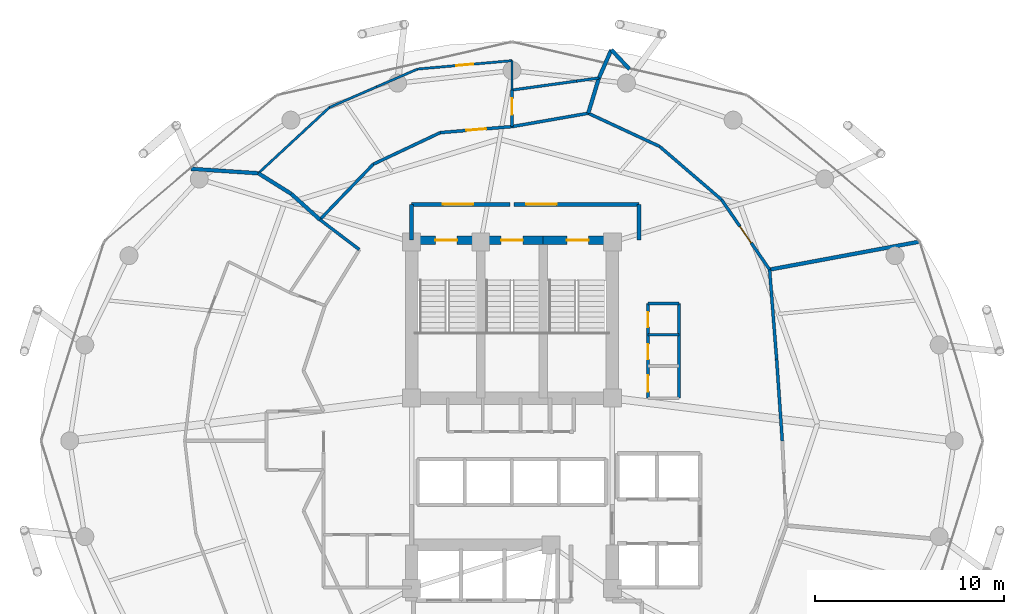
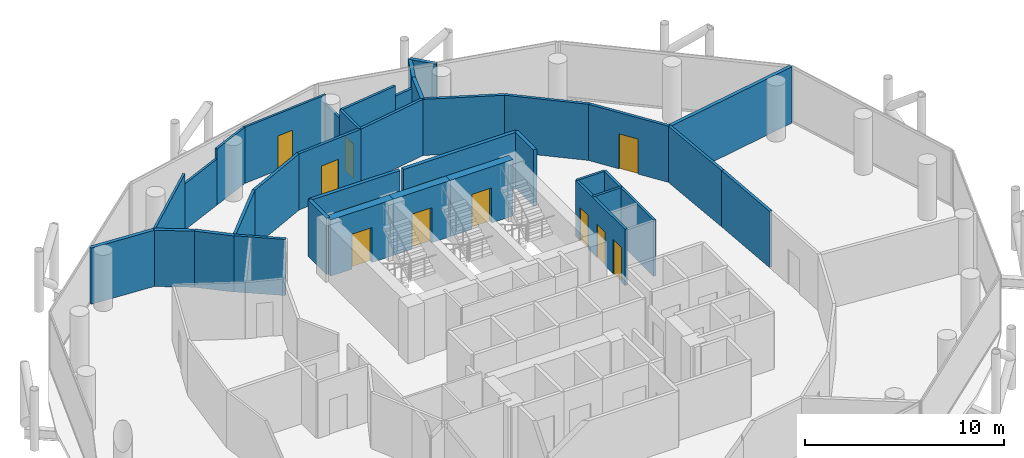
# One storey, part 24 of 26: 36 walls, 12 doors, 12 openings.
"""IFC4 building model written with IfcOpenShell, lengths in metres."""

from ifc_helpers import new_model, si_unit, direction, frame, frame_2d, origin, place, context, subcontext, project, spatial, rectangle, extrude, material, layer, layer_set, type_object, element, fill, save


model = new_model("IFC4")

# Units and contexts
model_context = context("Model", 3, precision=1e-05, world=origin(), true_north=direction((0.0, 1.0)))
body_context = subcontext(model_context, "Body", "Model", "MODEL_VIEW")
ifc_project = project(units=[si_unit("LENGTHUNIT", "METRE"), si_unit("AREAUNIT", "SQUARE_METRE"), si_unit("VOLUMEUNIT", "CUBIC_METRE"), si_unit("PLANEANGLEUNIT", "RADIAN"), si_unit("MASSUNIT", "GRAM", prefix="KILO")], contexts=[model_context])

# Site, building, storey
site_placement = place(None, origin())
site = spatial("IfcSite", under=ifc_project, at=site_placement, CompositionType="ELEMENT")
building_placement = place(site_placement, origin())
building = spatial("IfcBuilding", under=site, at=building_placement, Name="Nuhasar Tower", CompositionType="ELEMENT")
storey_placement = place(building_placement, frame((0.0, 0.0, 166.35009765625)))
storey = spatial("IfcBuildingStorey", under=building, at=storey_placement, Name="L40", CompositionType="ELEMENT", Elevation=166.35009765625)

# Wall, opening, door
ifc_material_1 = material(Name="Concrete C50/60", Category="concrete")
ifc_layer_1 = layer(ifc_material_1, 0.449951171875)
ifc_layer_set_1 = layer_set([ifc_layer_1], Name="Concrete C50/60")
wall_type_1 = type_object("IfcWallType", Name="WL-CORE-450", PredefinedType="SHEAR", material=ifc_layer_set_1)
wall_1_placement = place(storey_placement, frame((37.35009765625, 37.39990234375, 0.0), z_axis=(0.0, 0.0, 1.0), x_axis=(-1.0, 0.0, 0.0)))
wall_1 = element("IfcWall", 1, at=wall_1_placement, inside=storey, type_object=wall_type_1, Name="L40 Stairwell Shear Wall ST01-N", PredefinedType="SHEAR", context=body_context, shape_type="SweptSolid", body=[
    extrude(rectangle(XDim=3.650146484375, YDim=0.449951171875, at=frame_2d((1.8251953125, 0.0))), origin(), (0.0, 0.0, 1.0), 3.449951171875),
])
opening_1_placement = place(wall_1_placement, frame((1.25, 0.0, 0.0)))
opening_1 = element("IfcOpeningElement", 2, at=opening_1_placement, cuts=wall_1, Name="Opening DS-01", PredefinedType="OPENING", context=body_context, shape_type="SweptSolid", body=[
    extrude(rectangle(XDim=1.14990234375, YDim=2.14990234375, at=frame_2d((0.574951171875, 1.074951171875))), frame((0.0, 0.23486328125, 0.0), z_axis=(0.0, -1.0, 0.0), x_axis=(1.0, 0.0, 0.0)), (0.0, 0.0, 1.0), 0.469970703125),
])
ifc_material_2 = material(Name="Steel S355", Category="steel")
door_type_1 = type_object("IfcDoorType", Name="DR-STAIR-FD120-1150", OperationType="NOTDEFINED", PredefinedType="DOOR", material=ifc_material_2)
door_1_placement = place(opening_1_placement, origin())
door_1 = element("IfcDoor", 3, at=door_1_placement, inside=storey, type_object=door_type_1, Name="L40 Exit Stair ST-01 Door", OperationType="SINGLE_SWING_RIGHT", OverallHeight=2.14990234375, OverallWidth=1.14990234375, PredefinedType="DOOR", context=body_context, shape_type="SweptSolid", body=[
    extrude(rectangle(XDim=1.14990234375, YDim=2.14990234375, at=frame_2d((0.574951171875, 1.074951171875))), frame((0.0, 0.02490234375, 0.0), z_axis=(0.0, -1.0, 0.0), x_axis=(1.0, 0.0, 0.0)), (0.0, 0.0, 1.0), 0.050048828125),
])
fill(opening_1, door_1)

wall_2_placement = place(storey_placement, frame((40.64990234375, 37.39990234375, 0.0), z_axis=(0.0, 0.0, 1.0), x_axis=(-1.0, 0.0, 0.0)))
wall_2 = element("IfcWall", 4, at=wall_2_placement, inside=storey, type_object=wall_type_1, Name="L40 Stairwell Shear Wall ST03-N", PredefinedType="SHEAR", context=body_context, shape_type="SweptSolid", body=[
    extrude(rectangle(XDim=3.2998046875, YDim=0.449951171875, at=frame_2d((1.64990234375, 0.0))), origin(), (0.0, 0.0, 1.0), 3.449951171875),
])
opening_2_placement = place(wall_2_placement, frame((1.074951171875, 0.0, 0.0)))
opening_2 = element("IfcOpeningElement", 5, at=opening_2_placement, cuts=wall_2, Name="Opening DS-01", PredefinedType="OPENING", context=body_context, shape_type="SweptSolid", body=[
    extrude(rectangle(XDim=1.14990234375, YDim=2.14990234375, at=frame_2d((0.574951171875, 1.074951171875))), frame((0.0, 0.23486328125, 0.0), z_axis=(0.0, -1.0, 0.0), x_axis=(1.0, 0.0, 0.0)), (0.0, 0.0, 1.0), 0.469970703125),
])
door_2_placement = place(opening_2_placement, origin())
door_2 = element("IfcDoor", 6, at=door_2_placement, inside=storey, type_object=door_type_1, Name="L40 Exit Stair ST-03 Door", OperationType="SINGLE_SWING_RIGHT", OverallHeight=2.14990234375, OverallWidth=1.14990234375, PredefinedType="DOOR", context=body_context, shape_type="SweptSolid", body=[
    extrude(rectangle(XDim=1.14990234375, YDim=2.14990234375, at=frame_2d((0.574951171875, 1.074951171875))), frame((0.0, 0.02490234375, 0.0), z_axis=(0.0, -1.0, 0.0), x_axis=(1.0, 0.0, 0.0)), (0.0, 0.0, 1.0), 0.050048828125),
])
fill(opening_2, door_2)

wall_3_placement = place(storey_placement, frame((44.300048828125, 37.39990234375, 0.0), z_axis=(0.0, 0.0, 1.0), x_axis=(-1.0, 0.0, 0.0)))
wall_3 = element("IfcWall", 7, at=wall_3_placement, inside=storey, type_object=wall_type_1, Name="L40 Stairwell Shear Wall ST02-N", PredefinedType="SHEAR", context=body_context, shape_type="SweptSolid", body=[
    extrude(rectangle(XDim=3.650146484375, YDim=0.449951171875, at=frame_2d((1.8251953125, 0.0))), origin(), (0.0, 0.0, 1.0), 3.449951171875),
])
opening_3_placement = place(wall_3_placement, frame((1.25, 0.0, 0.0)))
opening_3 = element("IfcOpeningElement", 8, at=opening_3_placement, cuts=wall_3, Name="Opening DS-01", PredefinedType="OPENING", context=body_context, shape_type="SweptSolid", body=[
    extrude(rectangle(XDim=1.14990234375, YDim=2.14990234375, at=frame_2d((0.574951171875, 1.074951171875))), frame((0.0, 0.23486328125, 0.0), z_axis=(0.0, -1.0, 0.0), x_axis=(1.0, 0.0, 0.0)), (0.0, 0.0, 1.0), 0.469970703125),
])
door_3_placement = place(opening_3_placement, origin())
door_3 = element("IfcDoor", 9, at=door_3_placement, inside=storey, type_object=door_type_1, Name="L40 Exit Stair ST-02 Door", OperationType="SINGLE_SWING_LEFT", OverallHeight=2.14990234375, OverallWidth=1.14990234375, PredefinedType="DOOR", context=body_context, shape_type="SweptSolid", body=[
    extrude(rectangle(XDim=1.14990234375, YDim=2.14990234375, at=frame_2d((0.574951171875, 1.074951171875))), frame((0.0, 0.02490234375, 0.0), z_axis=(0.0, -1.0, 0.0), x_axis=(1.0, 0.0, 0.0)), (0.0, 0.0, 1.0), 0.050048828125),
])
fill(opening_3, door_3)

# Walls
ifc_material_3 = material(Name="Gypsum Board", Category="gypsum")
ifc_layer_2 = layer(ifc_material_3, 0.159912109375)
ifc_layer_set_2 = layer_set([ifc_layer_2], Name="Gypsum Board")
wall_type_2 = type_object("IfcWallType", Name="WL-CORR-160", PredefinedType="PARTITIONING", material=ifc_layer_set_2)
wall_4_placement = place(storey_placement, frame((53.27001953125, 26.800048828125, 0.0), z_axis=(0.0, 0.0, 1.0), x_axis=(-0.068997967222, 0.99761680044, 0.0)))
element("IfcWall", 10, at=wall_4_placement, inside=storey, type_object=wall_type_2, Name="L40 Interior Partition CORR-00", PredefinedType="PARTITIONING", context=body_context, shape_type="SweptSolid", body=[
    extrude(rectangle(XDim=4.3203125, YDim=0.159912109375, at=frame_2d((2.16015625, 0.0))), origin(), (0.0, 0.0, 1.0), 3.449951171875),
])
wall_5_placement = place(storey_placement, frame((52.971923828125, 31.110107421875, 0.0), z_axis=(0.0, 0.0, 1.0), x_axis=(-0.078589421441, 0.996907068306, 0.0)))
element("IfcWall", 11, at=wall_5_placement, inside=storey, type_object=wall_type_2, Name="L40 Interior Partition CORR-02", PredefinedType="PARTITIONING", context=body_context, shape_type="SweptSolid", body=[
    extrude(rectangle(XDim=4.74365234375, YDim=0.159912109375, at=frame_2d((2.371826171875, 0.0))), origin(), (0.0, 0.0, 1.0), 3.449951171875),
])

# Wall, opening, door
wall_6_placement = place(storey_placement, frame((50.06201171875, 39.533935546875, 0.0), z_axis=(0.0, 0.0, 1.0), x_axis=(0.566061755794, -0.824362837971, 0.0)))
wall_6 = element("IfcWall", 12, at=wall_6_placement, inside=storey, type_object=wall_type_2, Name="L40 Interior Partition CORR-04", PredefinedType="PARTITIONING", context=body_context, shape_type="SweptSolid", body=[
    extrude(rectangle(XDim=4.48193359375, YDim=0.159912109375, at=frame_2d((2.240966796875, 0.0))), origin(), (0.0, 0.0, 1.0), 3.449951171875),
])
opening_4_placement = place(wall_6_placement, frame((1.716064453125, 0.0, 0.0)))
opening_4 = element("IfcOpeningElement", 13, at=opening_4_placement, cuts=wall_6, Name="Opening DU-01", PredefinedType="OPENING", context=body_context, shape_type="SweptSolid", body=[
    extrude(rectangle(XDim=1.050048828125, YDim=2.14990234375, at=frame_2d((0.52490234375, 1.074951171875))), frame((0.0, 0.08984375, 0.0), z_axis=(0.0, -1.0, 0.0), x_axis=(1.0, 0.0, 0.0)), (0.0, 0.0, 1.0), 0.179931640625),
])
ifc_material_4 = material(Name="Timber Oak", Category="wood")
door_type_2 = type_object("IfcDoorType", Name="DR-SUITE-FD60-1050", OperationType="NOTDEFINED", PredefinedType="DOOR", material=ifc_material_4)
door_4_placement = place(opening_4_placement, origin())
door_4 = element("IfcDoor", 14, at=door_4_placement, inside=storey, type_object=door_type_2, Name="L40 Butler Catering Kitchen Entrance Door", OperationType="SINGLE_SWING_LEFT", OverallHeight=2.14990234375, OverallWidth=1.050048828125, PredefinedType="DOOR", context=body_context, shape_type="SweptSolid", body=[
    extrude(rectangle(XDim=1.050048828125, YDim=2.14990234375, at=frame_2d((0.52490234375, 1.074951171875))), frame((0.0, 0.02490234375, 0.0), z_axis=(0.0, -1.0, 0.0), x_axis=(1.0, 0.0, 0.0)), (0.0, 0.0, 1.0), 0.050048828125),
])
fill(opening_4, door_4)

# Walls
wall_7_placement = place(storey_placement, frame((50.06201171875, 39.533935546875, 0.0), z_axis=(0.0, 0.0, 1.0), x_axis=(-0.758367831638, 0.651826841989, 0.0)))
element("IfcWall", 15, at=wall_7_placement, inside=storey, type_object=wall_type_2, Name="L40 Interior Partition CORR-06", PredefinedType="PARTITIONING", context=body_context, shape_type="SweptSolid", body=[
    extrude(rectangle(XDim=4.30810546875, YDim=0.159912109375, at=frame_2d((2.154052734375, 0.0))), origin(), (0.0, 0.0, 1.0), 3.449951171875),
])
wall_8_placement = place(storey_placement, frame((46.794921875, 42.342041015625, 0.0), z_axis=(0.0, 0.0, 1.0), x_axis=(-0.906821379678, 0.421515106916, 0.0)))
element("IfcWall", 16, at=wall_8_placement, inside=storey, type_object=wall_type_2, Name="L40 Interior Partition CORR-08", PredefinedType="PARTITIONING", context=body_context, shape_type="SweptSolid", body=[
    extrude(rectangle(XDim=4.15625, YDim=0.159912109375, at=frame_2d((2.078125, 0.0))), origin(), (0.0, 0.0, 1.0), 3.449951171875),
])
wall_9_placement = place(storey_placement, frame((43.02587890625, 44.093994140625, 0.0), z_axis=(0.0, 0.0, 1.0), x_axis=(-0.985048212501, -0.172278899021, 0.0)))
element("IfcWall", 17, at=wall_9_placement, inside=storey, type_object=wall_type_2, Name="L40 Interior Partition CORR-10", PredefinedType="PARTITIONING", context=body_context, shape_type="SweptSolid", body=[
    extrude(rectangle(XDim=4.0869140625, YDim=0.159912109375, at=frame_2d((2.04345703125, 0.0))), origin(), (0.0, 0.0, 1.0), 3.449951171875),
])

# Wall, opening, door
wall_10_placement = place(storey_placement, frame((35.2119140625, 43.072021484375, 0.0), z_axis=(0.0, 0.0, 1.0), x_axis=(0.9964977572, 0.083619494707, 0.0)))
wall_10 = element("IfcWall", 18, at=wall_10_placement, inside=storey, type_object=wall_type_2, Name="L40 Interior Partition CORR-12", PredefinedType="PARTITIONING", context=body_context, shape_type="SweptSolid", body=[
    extrude(rectangle(XDim=3.801513671875, YDim=0.159912109375, at=frame_2d((1.90087890625, 0.0))), origin(), (0.0, 0.0, 1.0), 3.449951171875),
])
opening_5_placement = place(wall_10_placement, frame((1.3759765625, 0.0, 0.0)))
opening_5 = element("IfcOpeningElement", 19, at=opening_5_placement, cuts=wall_10, Name="Opening DU-01", PredefinedType="OPENING", context=body_context, shape_type="SweptSolid", body=[
    extrude(rectangle(XDim=1.050048828125, YDim=2.14990234375, at=frame_2d((0.52490234375, 1.074951171875))), frame((0.0, 0.08984375, 0.0), z_axis=(0.0, -1.0, 0.0), x_axis=(1.0, 0.0, 0.0)), (0.0, 0.0, 1.0), 0.179931640625),
])
door_5_placement = place(opening_5_placement, origin())
door_5 = element("IfcDoor", 20, at=door_5_placement, inside=storey, type_object=door_type_2, Name="L40 Ambassador Suite North-East Entrance Door", OperationType="SINGLE_SWING_LEFT", OverallHeight=2.14990234375, OverallWidth=1.050048828125, PredefinedType="DOOR", context=body_context, shape_type="SweptSolid", body=[
    extrude(rectangle(XDim=1.050048828125, YDim=2.14990234375, at=frame_2d((0.52490234375, 1.074951171875))), frame((0.0, 0.02490234375, 0.0), z_axis=(0.0, -1.0, 0.0), x_axis=(1.0, 0.0, 0.0)), (0.0, 0.0, 1.0), 0.050048828125),
])
fill(opening_5, door_5)

# Walls
wall_11_placement = place(storey_placement, frame((35.2119140625, 43.072021484375, 0.0), z_axis=(0.0, 0.0, 1.0), x_axis=(-0.904422045182, -0.426638915465, 0.0)))
element("IfcWall", 21, at=wall_11_placement, inside=storey, type_object=wall_type_2, Name="L40 Interior Partition CORR-14", PredefinedType="PARTITIONING", context=body_context, shape_type="SweptSolid", body=[
    extrude(rectangle(XDim=3.90966796875, YDim=0.159912109375, at=frame_2d((1.954833984375, 0.0))), origin(), (0.0, 0.0, 1.0), 3.449951171875),
])
wall_12_placement = place(storey_placement, frame((31.676025390625, 41.404052734375, 0.0), z_axis=(0.0, 0.0, 1.0), x_axis=(-0.693829815221, -0.720139005686, 0.0)))
element("IfcWall", 22, at=wall_12_placement, inside=storey, type_object=wall_type_2, Name="L40 Interior Partition CORR-16", PredefinedType="PARTITIONING", context=body_context, shape_type="SweptSolid", body=[
    extrude(rectangle(XDim=4.064453125, YDim=0.159912109375, at=frame_2d((2.0322265625, 0.0))), origin(), (0.0, 0.0, 1.0), 3.449951171875),
])
wall_13_placement = place(storey_placement, frame((30.93896484375, 36.89697265625, 0.0), z_axis=(0.0, 0.0, 1.0), x_axis=(-0.796716077532, 0.604353780332, 0.0)))
element("IfcWall", 23, at=wall_13_placement, inside=storey, type_object=wall_type_2, Name="L40 Interior Partition HRAD-18-IN", PredefinedType="PARTITIONING", context=body_context, shape_type="SweptSolid", body=[
    extrude(rectangle(XDim=2.614501953125, YDim=0.159912109375, at=frame_2d((1.30712890625, 0.0))), origin(), (0.0, 0.0, 1.0), 3.449951171875),
])
ifc_material_5 = material(Name="Concrete C45/55", Category="concrete")
ifc_layer_3 = layer(ifc_material_5, 0.199951171875)
ifc_layer_set_3 = layer_set([ifc_layer_3], Name="Concrete C45/55")
wall_type_3 = type_object("IfcWallType", Name="WL-LOBBY-200", PredefinedType="SOLIDWALL", material=ifc_layer_set_3)
for number, where, z_axis, x_axis, name in (
    (24, (33.699951171875, 37.39990234375, 0.0), (0.0, 0.0, 1.0), (0.0, 1.0, 0.0), "L40 Interior Partition NSL-W"),
    (25, (45.699951171875, 37.39990234375, 0.0), (0.0, 0.0, 1.0), (0.0, 1.0, 0.0), "L40 Interior Partition NSL-E"),
):
    element("IfcWall", number, at=place(storey_placement, frame(where, z_axis=z_axis, x_axis=x_axis)), inside=storey, type_object=wall_type_3, Name=name, PredefinedType="SOLIDWALL", context=body_context, shape_type="SweptSolid", body=[
        extrude(rectangle(XDim=1.880126953125, YDim=0.199951171875, at=frame_2d((0.93994140625, 0.0))), origin(), (0.0, 0.0, 1.0), 3.449951171875),
    ])

# Wall, opening, door
wall_14_placement = place(storey_placement, frame((38.89990234375, 39.280029296875, 0.0), z_axis=(0.0, 0.0, 1.0), x_axis=(-1.0, 0.0, 0.0)))
wall_14 = element("IfcWall", 26, at=wall_14_placement, inside=storey, type_object=wall_type_3, Name="L40 Interior Partition NSL-N1", PredefinedType="SOLIDWALL", context=body_context, shape_type="SweptSolid", body=[
    extrude(rectangle(XDim=5.199951171875, YDim=0.199951171875, at=frame_2d((2.60009765625, 0.0))), origin(), (0.0, 0.0, 1.0), 3.449951171875),
])
opening_6_placement = place(wall_14_placement, frame((1.949951171875, 0.0, 0.0)))
opening_6 = element("IfcOpeningElement", 27, at=opening_6_placement, cuts=wall_14, Name="Opening DC-01", PredefinedType="OPENING", context=body_context, shape_type="SweptSolid", body=[
    extrude(rectangle(XDim=1.60009765625, YDim=2.199951171875, at=frame_2d((0.800048828125, 1.10009765625))), frame((0.0, 0.10986328125, 0.0), z_axis=(0.0, -1.0, 0.0), x_axis=(1.0, 0.0, 0.0)), (0.0, 0.0, 1.0), 0.219970703125),
])
door_type_3 = type_object("IfcDoorType", Name="DR-CORR-FD60-1600", OperationType="DOUBLE_DOOR_SINGLE_SWING", PredefinedType="DOOR", material=ifc_material_2)
door_6_placement = place(opening_6_placement, origin())
door_6 = element("IfcDoor", 28, at=door_6_placement, inside=storey, type_object=door_type_3, Name="L40 North Stair Lobby West Door", OperationType="DOUBLE_DOOR_SINGLE_SWING", OverallHeight=2.199951171875, OverallWidth=1.60009765625, PredefinedType="DOOR", context=body_context, shape_type="SweptSolid", body=[
    extrude(rectangle(XDim=1.60009765625, YDim=2.199951171875, at=frame_2d((0.800048828125, 1.10009765625))), frame((0.0, 0.02490234375, 0.0), z_axis=(0.0, -1.0, 0.0), x_axis=(1.0, 0.0, 0.0)), (0.0, 0.0, 1.0), 0.050048828125),
])
fill(opening_6, door_6)

wall_15_placement = place(storey_placement, frame((45.699951171875, 39.280029296875, 0.0), z_axis=(0.0, 0.0, 1.0), x_axis=(-1.0, 0.0, 0.0)))
wall_15 = element("IfcWall", 29, at=wall_15_placement, inside=storey, type_object=wall_type_3, Name="L40 Interior Partition NSL-N2", PredefinedType="SOLIDWALL", context=body_context, shape_type="SweptSolid", body=[
    extrude(rectangle(XDim=6.599853515625, YDim=0.199951171875, at=frame_2d((3.2998046875, 0.0))), origin(), (0.0, 0.0, 1.0), 3.449951171875),
])
opening_7_placement = place(wall_15_placement, frame((4.35009765625, 0.0, 0.0)))
opening_7 = element("IfcOpeningElement", 30, at=opening_7_placement, cuts=wall_15, Name="Opening DC-01", PredefinedType="OPENING", context=body_context, shape_type="SweptSolid", body=[
    extrude(rectangle(XDim=1.60009765625, YDim=2.199951171875, at=frame_2d((0.800048828125, 1.10009765625))), frame((0.0, 0.10986328125, 0.0), z_axis=(0.0, -1.0, 0.0), x_axis=(1.0, 0.0, 0.0)), (0.0, 0.0, 1.0), 0.219970703125),
])
door_7_placement = place(opening_7_placement, origin())
door_7 = element("IfcDoor", 31, at=door_7_placement, inside=storey, type_object=door_type_3, Name="L40 North Stair Lobby East Door", OperationType="DOUBLE_DOOR_SINGLE_SWING", OverallHeight=2.199951171875, OverallWidth=1.60009765625, PredefinedType="DOOR", context=body_context, shape_type="SweptSolid", body=[
    extrude(rectangle(XDim=1.60009765625, YDim=2.199951171875, at=frame_2d((0.800048828125, 1.10009765625))), frame((0.0, 0.02490234375, 0.0), z_axis=(0.0, -1.0, 0.0), x_axis=(1.0, 0.0, 0.0)), (0.0, 0.0, 1.0), 0.050048828125),
])
fill(opening_7, door_7)

# Wall
ifc_layer_4 = layer(ifc_material_3, 0.125)
ifc_layer_set_4 = layer_set([ifc_layer_4], Name="Gypsum Board")
wall_type_4 = type_object("IfcWallType", Name="WL-PART-125", PredefinedType="PARTITIONING", material=ifc_layer_set_4)
wall_16_placement = place(storey_placement, frame((39.0, 45.320068359375, 0.0), z_axis=(0.0, 0.0, 1.0), x_axis=(0.0, 1.0, 0.0)))
element("IfcWall", 32, at=wall_16_placement, inside=storey, type_object=wall_type_4, Name="L40 Interior Partition HBS-05", PredefinedType="PARTITIONING", context=body_context, shape_type="SweptSolid", body=[
    extrude(rectangle(XDim=1.550048828125, YDim=0.125, at=frame_2d((0.77490234375, 0.0))), origin(), (0.0, 0.0, 1.0), 2.914794921875),
])

# Wall, opening, door
wall_17_placement = place(storey_placement, frame((34.013916015625, 46.428955078125, 0.0), z_axis=(0.0, 0.0, 1.0), x_axis=(0.996108594928, 0.088134369634, 0.0)))
wall_17 = element("IfcWall", 33, at=wall_17_placement, inside=storey, type_object=wall_type_4, Name="L40 Interior Partition HSAL-05-12", PredefinedType="PARTITIONING", context=body_context, shape_type="SweptSolid", body=[
    extrude(rectangle(XDim=5.005615234375, YDim=0.125, at=frame_2d((2.5029296875, 0.0))), origin(), (0.0, 0.0, 1.0), 3.449951171875),
])
opening_8_placement = place(wall_17_placement, frame((2.052978515625, 0.0, 0.0)))
opening_8 = element("IfcOpeningElement", 34, at=opening_8_placement, cuts=wall_17, Name="Opening DR-01", PredefinedType="OPENING", context=body_context, shape_type="SweptSolid", body=[
    extrude(rectangle(XDim=0.89990234375, YDim=2.10009765625, at=frame_2d((0.449951171875, 1.050048828125))), frame((0.0, 0.072509765625, 0.0), z_axis=(0.0, -1.0, 0.0), x_axis=(1.0, 0.0, 0.0)), (0.0, 0.0, 1.0), 0.14501953125),
])
door_type_4 = type_object("IfcDoorType", Name="DR-ROOM-900", OperationType="NOTDEFINED", PredefinedType="DOOR", material=ifc_material_4)
door_8_placement = place(opening_8_placement, origin())
door_8 = element("IfcDoor", 35, at=door_8_placement, inside=storey, type_object=door_type_4, Name="L40 Ambassador Suite North-East Bedroom Door", OperationType="SINGLE_SWING_LEFT", OverallHeight=2.10009765625, OverallWidth=0.89990234375, PredefinedType="DOOR", context=body_context, shape_type="SweptSolid", body=[
    extrude(rectangle(XDim=0.89990234375, YDim=2.10009765625, at=frame_2d((0.449951171875, 1.050048828125))), frame((0.0, 0.02490234375, 0.0), z_axis=(0.0, -1.0, 0.0), x_axis=(1.0, 0.0, 0.0)), (0.0, 0.0, 1.0), 0.050048828125),
])
fill(opening_8, door_8)

# Walls
wall_18_placement = place(storey_placement, frame((34.013916015625, 46.428955078125, 0.0), z_axis=(0.0, 0.0, 1.0), x_axis=(-0.916977586011, -0.398938725564, 0.0)))
element("IfcWall", 36, at=wall_18_placement, inside=storey, type_object=wall_type_4, Name="L40 Interior Partition HSAL-05-14", PredefinedType="PARTITIONING", context=body_context, shape_type="SweptSolid", body=[
    extrude(rectangle(XDim=2.351318359375, YDim=0.125, at=frame_2d((1.17578125, 0.0))), origin(), (0.0, 0.0, 1.0), 3.449951171875),
])
wall_19_placement = place(storey_placement, frame((31.85791015625, 45.490966796875, 0.0), z_axis=(0.0, 0.0, 1.0), x_axis=(-0.916850166373, -0.399231477242, 0.0)))
element("IfcWall", 37, at=wall_19_placement, inside=storey, type_object=wall_type_4, Name="L40 Interior Partition HSAL-05-14", PredefinedType="PARTITIONING", context=body_context, shape_type="SweptSolid", body=[
    extrude(rectangle(XDim=2.719970703125, YDim=0.125, at=frame_2d((1.35986328125, 0.0))), origin(), (0.0, 0.0, 1.0), 2.829833984375),
])
wall_20_placement = place(storey_placement, frame((29.364013671875, 44.405029296875, 0.0), z_axis=(0.0, 0.0, 1.0), x_axis=(-0.733833747784, -0.679329103316, 0.0)))
element("IfcWall", 38, at=wall_20_placement, inside=storey, type_object=wall_type_4, Name="L40 Interior Partition HSAL-05-16", PredefinedType="PARTITIONING", context=body_context, shape_type="SweptSolid", body=[
    extrude(rectangle(XDim=5.119873046875, YDim=0.125, at=frame_2d((2.56005859375, 0.0))), origin(), (0.0, 0.0, 1.0), 3.449951171875),
])
ifc_material_6 = material(Name="Concrete C40/50 precast", Category="concrete")
ifc_layer_5 = layer(ifc_material_6, 0.199951171875)
ifc_layer_set_5 = layer_set([ifc_layer_5], Name="Concrete C40/50 precast")
wall_type_5 = type_object("IfcWallType", Name="WL-UNIT-200", PredefinedType="PARTITIONING", material=ifc_layer_set_5)
wall_21_placement = place(storey_placement, frame((28.85595703125, 38.47705078125, 0.0), z_axis=(0.0, 0.0, 1.0), x_axis=(-0.742630647444, 0.669701218064, 0.0)))
element("IfcWall", 39, at=wall_21_placement, inside=storey, type_object=wall_type_5, Name="L40 Interior Partition HRAD-18-OUT-S1", PredefinedType="PARTITIONING", context=body_context, shape_type="SweptSolid", body=[
    extrude(rectangle(XDim=2.031982421875, YDim=0.199951171875, at=frame_2d((1.01611328125, 0.0))), origin(), (0.0, 0.0, 1.0), 3.449951171875),
])
wall_22_placement = place(storey_placement, frame((27.346923828125, 39.837890625, 0.0), z_axis=(0.0, 0.0, 1.0), x_axis=(-0.847643984813, 0.530565429529, 0.0)))
element("IfcWall", 40, at=wall_22_placement, inside=storey, type_object=wall_type_5, Name="L40 Interior Partition HRAD-18-OUT-S2", PredefinedType="PARTITIONING", context=body_context, shape_type="SweptSolid", body=[
    extrude(rectangle(XDim=2.052734375, YDim=0.199951171875, at=frame_2d((1.0263671875, 0.0))), origin(), (0.0, 0.0, 1.0), 3.449951171875),
])
wall_23_placement = place(storey_placement, frame((25.60693359375, 40.927001953125, 0.0), z_axis=(0.0, 0.0, 1.0), x_axis=(-0.997870248491, 0.065230109433, 0.0)))
element("IfcWall", 41, at=wall_23_placement, inside=storey, type_object=wall_type_5, Name="L40 Interior Partition HRAD-18-OUT-S3", PredefinedType="PARTITIONING", context=body_context, shape_type="SweptSolid", body=[
    extrude(rectangle(XDim=3.570556640625, YDim=0.199951171875, at=frame_2d((1.78515625, 0.0))), origin(), (0.0, 0.0, 1.0), 3.449951171875),
])
wall_24_placement = place(storey_placement, frame((52.59912109375, 35.839111328125, 0.0), z_axis=(0.0, 0.0, 1.0), x_axis=(0.983059463928, 0.183286907283, 0.0)))
element("IfcWall", 42, at=wall_24_placement, inside=storey, type_object=wall_type_5, Name="L40 Interior Partition HRAD-04", PredefinedType="PARTITIONING", context=body_context, shape_type="SweptSolid", body=[
    extrude(rectangle(XDim=8.0361328125, YDim=0.199951171875, at=frame_2d((4.01806640625, 0.0))), origin(), (0.0, 0.0, 1.0), 3.449951171875),
])
wall_25_placement = place(storey_placement, frame((43.02587890625, 44.093994140625, 0.0), z_axis=(0.0, 0.0, 1.0), x_axis=(0.288948158406, 0.957344745509, 0.0)))
element("IfcWall", 43, at=wall_25_placement, inside=storey, type_object=wall_type_5, Name="L40 Interior Partition HRAD-10-S1", PredefinedType="PARTITIONING", context=body_context, shape_type="SweptSolid", body=[
    extrude(rectangle(XDim=1.945068359375, YDim=0.199951171875, at=frame_2d((0.97265625, 0.0))), origin(), (0.0, 0.0, 1.0), 3.449951171875),
])
wall_26_placement = place(storey_placement, frame((43.587890625, 45.9560546875, 0.0), z_axis=(0.0, 0.0, 1.0), x_axis=(0.403356140533, 0.915043072153, 0.0)))
element("IfcWall", 44, at=wall_26_placement, inside=storey, type_object=wall_type_5, Name="L40 Interior Partition HRAD-10-S2", PredefinedType="PARTITIONING", context=body_context, shape_type="SweptSolid", body=[
    extrude(rectangle(XDim=1.62939453125, YDim=0.199951171875, at=frame_2d((0.814697265625, 0.0))), origin(), (0.0, 0.0, 1.0), 3.449951171875),
])
wall_27_placement = place(storey_placement, frame((44.2451171875, 47.447021484375, 0.0), z_axis=(0.0, 0.0, 1.0), x_axis=(0.681811991259, -0.731527448955, 0.0)))
element("IfcWall", 45, at=wall_27_placement, inside=storey, type_object=wall_type_5, Name="L40 Interior Partition HRAD-10-S3", PredefinedType="PARTITIONING", context=body_context, shape_type="SweptSolid", body=[
    extrude(rectangle(XDim=1.409423828125, YDim=0.199951171875, at=frame_2d((0.70458984375, 0.0))), origin(), (0.0, 0.0, 1.0), 3.449951171875),
])

# Wall, openings, doors
ifc_layer_6 = layer(ifc_material_6, 0.139892578125)
ifc_layer_set_6 = layer_set([ifc_layer_6], Name="Concrete C40/50 precast")
wall_type_6 = type_object("IfcWallType", Name="WL-WET-140", PredefinedType="PARTITIONING", material=ifc_layer_set_6)
wall_28_placement = place(storey_placement, frame((46.179931640625, 34.050048828125, 0.0), z_axis=(0.0, 0.0, 1.0), x_axis=(0.0, -1.0, 0.0)))
wall_28 = element("IfcWall", 46, at=wall_28_placement, inside=storey, type_object=wall_type_6, Name="L40 Interior Partition K1-NE-W", PredefinedType="PARTITIONING", context=body_context, shape_type="SweptSolid", body=[
    extrude(rectangle(XDim=5.0, YDim=0.139892578125, at=frame_2d((2.5, 0.0))), origin(), (0.0, 0.0, 1.0), 3.449951171875),
])
opening_9_placement = place(wall_28_placement, frame((3.800048828125, 0.0, 0.0)))
opening_9 = element("IfcOpeningElement", 47, at=opening_9_placement, cuts=wall_28, Name="Opening DB-01", PredefinedType="OPENING", context=body_context, shape_type="SweptSolid", body=[
    extrude(rectangle(XDim=0.85009765625, YDim=2.10009765625, at=frame_2d((0.425048828125, 1.050048828125))), frame((0.0, 0.080078125, 0.0), z_axis=(0.0, -1.0, 0.0), x_axis=(1.0, 0.0, 0.0)), (0.0, 0.0, 1.0), 0.159912109375),
])
opening_10_placement = place(wall_28_placement, frame((2.14990234375, 0.0, 0.0)))
opening_10 = element("IfcOpeningElement", 48, at=opening_10_placement, cuts=wall_28, Name="Opening DM-01", PredefinedType="OPENING", context=body_context, shape_type="SweptSolid", body=[
    extrude(rectangle(XDim=0.800048828125, YDim=2.050048828125, at=frame_2d((0.39990234375, 1.02490234375))), frame((0.0, 0.080078125, 0.0), z_axis=(0.0, -1.0, 0.0), x_axis=(1.0, 0.0, 0.0)), (0.0, 0.0, 1.0), 0.159912109375),
])
opening_11_placement = place(wall_28_placement, frame((0.449951171875, 0.0, 0.0)))
opening_11 = element("IfcOpeningElement", 49, at=opening_11_placement, cuts=wall_28, Name="Opening DM-01", PredefinedType="OPENING", context=body_context, shape_type="SweptSolid", body=[
    extrude(rectangle(XDim=0.800048828125, YDim=2.050048828125, at=frame_2d((0.39990234375, 1.02490234375))), frame((0.0, 0.080078125, 0.0), z_axis=(0.0, -1.0, 0.0), x_axis=(1.0, 0.0, 0.0)), (0.0, 0.0, 1.0), 0.159912109375),
])
door_type_5 = type_object("IfcDoorType", Name="DR-BATH-850", OperationType="NOTDEFINED", PredefinedType="DOOR", material=ifc_material_4)
door_9_placement = place(opening_9_placement, origin())
door_9 = element("IfcDoor", 50, at=door_9_placement, inside=storey, type_object=door_type_5, Name="L40 NE Female WC Door", OperationType="SINGLE_SWING_RIGHT", OverallHeight=2.10009765625, OverallWidth=0.85009765625, PredefinedType="DOOR", context=body_context, shape_type="SweptSolid", body=[
    extrude(rectangle(XDim=0.85009765625, YDim=2.10009765625, at=frame_2d((0.425048828125, 1.050048828125))), frame((0.0, 0.02490234375, 0.0), z_axis=(0.0, -1.0, 0.0), x_axis=(1.0, 0.0, 0.0)), (0.0, 0.0, 1.0), 0.050048828125),
])
fill(opening_9, door_9)
door_type_6 = type_object("IfcDoorType", Name="DR-RISER-FD60-800", OperationType="NOTDEFINED", PredefinedType="DOOR", material=ifc_material_2)
door_10_placement = place(opening_10_placement, origin())
door_10 = element("IfcDoor", 51, at=door_10_placement, inside=storey, type_object=door_type_6, Name="L40 NE Meter Door", OperationType="SINGLE_SWING_RIGHT", OverallHeight=2.050048828125, OverallWidth=0.800048828125, PredefinedType="DOOR", context=body_context, shape_type="SweptSolid", body=[
    extrude(rectangle(XDim=0.800048828125, YDim=2.050048828125, at=frame_2d((0.39990234375, 1.02490234375))), frame((0.0, 0.02490234375, 0.0), z_axis=(0.0, -1.0, 0.0), x_axis=(1.0, 0.0, 0.0)), (0.0, 0.0, 1.0), 0.050048828125),
])
fill(opening_10, door_10)
door_11_placement = place(opening_11_placement, origin())
door_11 = element("IfcDoor", 52, at=door_11_placement, inside=storey, type_object=door_type_6, Name="L40 NE Telecom Door", OperationType="SINGLE_SWING_LEFT", OverallHeight=2.050048828125, OverallWidth=0.800048828125, PredefinedType="DOOR", context=body_context, shape_type="SweptSolid", body=[
    extrude(rectangle(XDim=0.800048828125, YDim=2.050048828125, at=frame_2d((0.39990234375, 1.02490234375))), frame((0.0, 0.02490234375, 0.0), z_axis=(0.0, -1.0, 0.0), x_axis=(1.0, 0.0, 0.0)), (0.0, 0.0, 1.0), 0.050048828125),
])
fill(opening_11, door_11)

# Walls
for number, where, z_axis, x_axis, name in (
    (53, (46.179931640625, 32.39990234375, 0.0), (0.0, 0.0, 1.0), (1.0, 0.0, 0.0), "L40 Interior Partition K1-NE-M2"),
    (54, (46.179931640625, 34.050048828125, 0.0), (0.0, 0.0, 1.0), (1.0, 0.0, 0.0), "L40 Interior Partition K1-NE-N"),
):
    element("IfcWall", number, at=place(storey_placement, frame(where, z_axis=z_axis, x_axis=x_axis)), inside=storey, type_object=wall_type_6, Name=name, PredefinedType="PARTITIONING", context=body_context, shape_type="SweptSolid", body=[
        extrude(rectangle(XDim=1.64013671875, YDim=0.139892578125, at=frame_2d((0.820068359375, 0.0))), origin(), (0.0, 0.0, 1.0), 3.449951171875),
    ])
wall_29_placement = place(storey_placement, frame((47.820068359375, 29.050048828125, 0.0), z_axis=(0.0, 0.0, 1.0), x_axis=(0.0, 1.0, 0.0)))
element("IfcWall", 55, at=wall_29_placement, inside=storey, type_object=wall_type_6, Name="L40 Interior Partition K1-NE-E", PredefinedType="PARTITIONING", context=body_context, shape_type="SweptSolid", body=[
    extrude(rectangle(XDim=5.0, YDim=0.139892578125, at=frame_2d((2.5, 0.0))), origin(), (0.0, 0.0, 1.0), 3.449951171875),
])

# Wall, opening, door
wall_30_placement = place(storey_placement, frame((39.0, 43.389892578125, 0.0), z_axis=(0.0, 0.0, 1.0), x_axis=(0.0, 1.0, 0.0)))
wall_30 = element("IfcWall", 56, at=wall_30_placement, inside=storey, type_object=wall_type_6, Name="L40 Interior Partition HBW-05", PredefinedType="PARTITIONING", context=body_context, shape_type="SweptSolid", body=[
    extrude(rectangle(XDim=1.93017578125, YDim=0.139892578125, at=frame_2d((0.965087890625, 0.0))), origin(), (0.0, 0.0, 1.0), 3.449951171875),
])
opening_12_placement = place(wall_30_placement, frame((0.635986328125, 0.0, 0.0)))
opening_12 = element("IfcOpeningElement", 57, at=opening_12_placement, cuts=wall_30, Name="Opening DB-01", PredefinedType="OPENING", context=body_context, shape_type="SweptSolid", body=[
    extrude(rectangle(XDim=0.85009765625, YDim=2.10009765625, at=frame_2d((0.425048828125, 1.050048828125))), frame((0.0, 0.080078125, 0.0), z_axis=(0.0, -1.0, 0.0), x_axis=(1.0, 0.0, 0.0)), (0.0, 0.0, 1.0), 0.159912109375),
])
door_12_placement = place(opening_12_placement, origin())
door_12 = element("IfcDoor", 58, at=door_12_placement, inside=storey, type_object=door_type_5, Name="L40 Ambassador Suite North-East En-Suite Door", OperationType="SINGLE_SWING_RIGHT", OverallHeight=2.10009765625, OverallWidth=0.85009765625, PredefinedType="DOOR", context=body_context, shape_type="SweptSolid", body=[
    extrude(rectangle(XDim=0.85009765625, YDim=2.10009765625, at=frame_2d((0.425048828125, 1.050048828125))), frame((0.0, 0.02490234375, 0.0), z_axis=(0.0, -1.0, 0.0), x_axis=(1.0, 0.0, 0.0)), (0.0, 0.0, 1.0), 0.050048828125),
])
fill(opening_12, door_12)

# Walls
wall_31_placement = place(storey_placement, frame((43.587890625, 45.9560546875, 0.0), z_axis=(0.0, 0.0, 1.0), x_axis=(-0.990487649922, -0.137601654613, 0.0)))
element("IfcWall", 59, at=wall_31_placement, inside=storey, type_object=wall_type_6, Name="L40 Interior Partition HBF-05-10", PredefinedType="PARTITIONING", context=body_context, shape_type="SweptSolid", body=[
    extrude(rectangle(XDim=1.199462890625, YDim=0.139892578125, at=frame_2d((0.599609375, 0.0))), origin(), (0.0, 0.0, 1.0), 2.829833984375),
])
wall_32_placement = place(storey_placement, frame((42.39990234375, 45.791015625, 0.0), z_axis=(0.0, 0.0, 1.0), x_axis=(-0.990542283226, -0.137207817345, 0.0)))
element("IfcWall", 60, at=wall_32_placement, inside=storey, type_object=wall_type_6, Name="L40 Interior Partition HBF-05-10", PredefinedType="PARTITIONING", context=body_context, shape_type="SweptSolid", body=[
    extrude(rectangle(XDim=3.432373046875, YDim=0.139892578125, at=frame_2d((1.71630859375, 0.0))), origin(), (0.0, 0.0, 1.0), 3.449951171875),
])

save(model, "model.ifc")
